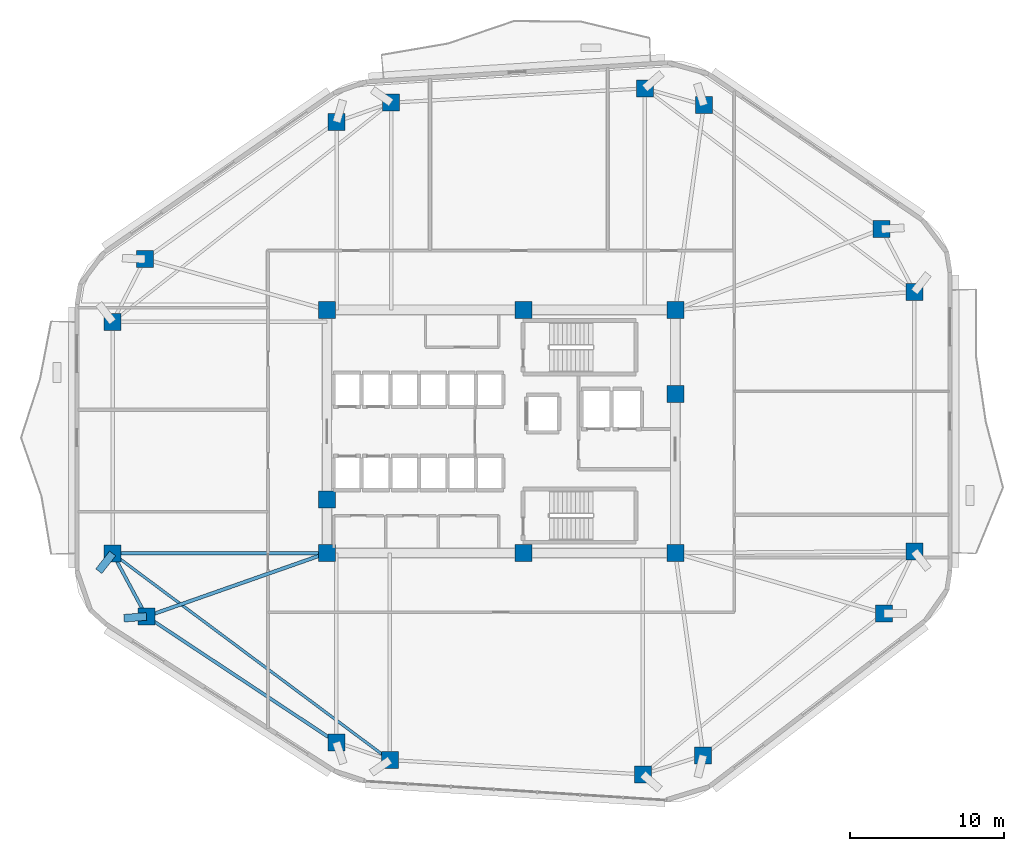
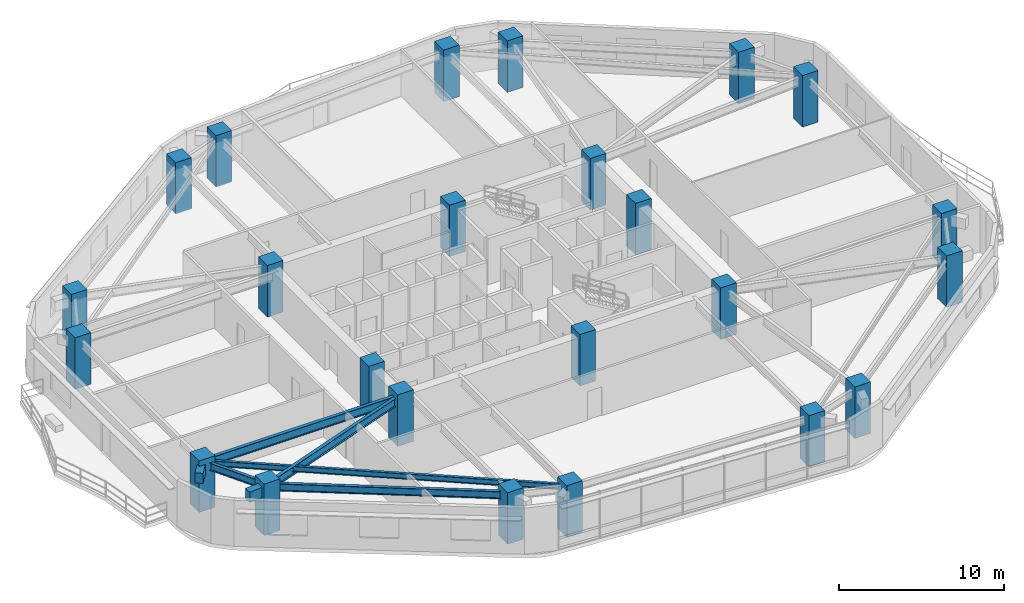
# One storey, part 1 of 12: 24 columns, 7 beams.
"""IFC4 building model written with IfcOpenShell, lengths in metres."""

from ifc_helpers import new_model, si_unit, direction, frame, origin, origin_2d, place, context, subcontext, project, spatial, rectangle, i_section, extrude, material, material_profile, profile_set, type_object, element, save


model = new_model("IFC4")

# Units and contexts
model_context = context("Model", 3, precision=1e-05, world=origin(), true_north=direction((0.0, 1.0)))
body_context = subcontext(model_context, "Body", "Model", "MODEL_VIEW")
ifc_project = project(units=[si_unit("LENGTHUNIT", "METRE"), si_unit("AREAUNIT", "SQUARE_METRE"), si_unit("VOLUMEUNIT", "CUBIC_METRE"), si_unit("PLANEANGLEUNIT", "RADIAN"), si_unit("MASSUNIT", "GRAM", prefix="KILO")], contexts=[model_context])

# Site, building, storey
site_placement = place(None, origin())
site = spatial("IfcSite", under=ifc_project, at=site_placement, CompositionType="ELEMENT")
building_placement = place(site_placement, origin())
building = spatial("IfcBuilding", under=site, at=building_placement, Name="Zulverin Broadcast Headquarters", CompositionType="ELEMENT")
storey_placement = place(building_placement, frame((0.0, 0.0, 116.199951171875)))
storey = spatial("IfcBuildingStorey", under=building, at=storey_placement, Name="L29", CompositionType="ELEMENT", Elevation=116.199951171875)

# Columns
ifc_material_1 = material(Name="Concrete C60/75", Category="concrete")
ifc_material_profile_1 = material_profile(ifc_material_1, rectangle(XDim=1.10009765625, YDim=1.10009765625, at=origin_2d()), Name="Concrete C60/75", Category="concrete")
ifc_profile_set_1 = profile_set([ifc_material_profile_1], Name="Concrete C60/75")
column_type_1 = type_object("IfcColumnType", Name="COL-RC-1100", PredefinedType="COLUMN", material=ifc_profile_set_1)
for number, where, z_axis, x_axis, name in (
    (1, (29.79638671875, 3.922119140625, 0.0), (0.0, 0.0, 1.0), (1.0, 0.0, 0.0), "L29 Perimeter Column T01"),
    (2, (46.175048828125, 2.997802734375, 0.0), (0.0, 0.0, 1.0), (1.0, 0.0, 0.0), "L29 Perimeter Column T02"),
    (3, (50.08056640625, 4.22509765625, 0.0), (0.0, 0.0, 1.0), (1.0, 0.0, 0.0), "L29 Perimeter Column T03"),
    (4, (61.79296875, 13.416259765625, 0.0), (0.0, 0.0, 1.0), (1.0, 0.0, 0.0), "L29 Perimeter Column T04"),
    (5, (63.75, 17.439697265625, 0.0), (0.0, 0.0, 1.0), (1.0, 0.0, 0.0), "L29 Perimeter Column T05"),
    (6, (63.75, 34.235107421875, 0.0), (0.0, 0.0, 1.0), (1.0, 0.0, 0.0), "L29 Perimeter Column T06"),
    (7, (61.630126953125, 38.298583984375, 0.0), (0.0, 0.0, 1.0), (1.0, 0.0, 0.0), "L29 Perimeter Column T07"),
    (8, (50.121826171875, 46.325927734375, 0.0), (0.0, 0.0, 1.0), (1.0, 0.0, 0.0), "L29 Perimeter Column T08"),
    (9, (46.30224609375, 47.4091796875, 0.0), (0.0, 0.0, 1.0), (1.0, 0.0, 0.0), "L29 Perimeter Column T09"),
    (10, (29.873779296875, 46.482177734375, 0.0), (0.0, 0.0, 1.0), (1.0, 0.0, 0.0), "L29 Perimeter Column T10"),
    (11, (26.344482421875, 45.23828125, 0.0), (0.0, 0.0, 1.0), (1.0, 0.0, 0.0), "L29 Perimeter Column T11"),
    (12, (13.934326171875, 36.353759765625, 0.0), (0.0, 0.0, 1.0), (1.0, 0.0, 0.0), "L29 Perimeter Column T12"),
    (13, (11.85009765625, 32.298095703125, 0.0), (0.0, 0.0, 1.0), (1.0, 0.0, 0.0), "L29 Perimeter Column T13"),
    (14, (11.85009765625, 17.297607421875, 0.0), (0.0, 0.0, 1.0), (1.0, 0.0, 0.0), "L29 Perimeter Column T14"),
    (15, (14.0390625, 13.219970703125, 0.0), (0.0, 0.0, 1.0), (1.0, 0.0, 0.0), "L29 Perimeter Column T15"),
    (16, (26.3251953125, 5.075927734375, 0.0), (0.0, 0.0, 1.0), (1.0, 0.0, 0.0), "L29 Perimeter Column T16"),
):
    element("IfcColumn", number, at=place(storey_placement, frame(where, z_axis=z_axis, x_axis=x_axis)), inside=storey, type_object=column_type_1, Name=name, PredefinedType="COLUMN", context=body_context, shape_type="SweptSolid", body=[
        extrude(rectangle(XDim=1.10009765625, YDim=1.10009765625, at=origin_2d()), origin(), (0.0, 0.0, 1.0), 3.800048828125),
    ])
ifc_material_profile_2 = material_profile(ifc_material_1, rectangle(XDim=1.10009765625, YDim=1.10009765625, at=origin_2d()), Name="Concrete C60/75", Category="concrete")
ifc_profile_set_2 = profile_set([ifc_material_profile_2], Name="Concrete C60/75")
column_type_2 = type_object("IfcColumnType", Name="PIL-RC-1100", PredefinedType="PILASTER", material=ifc_profile_set_2)
for number, where, z_axis, x_axis, name in (
    (17, (25.72509765625, 17.324951171875, 0.0), (0.0, 0.0, 1.0), (1.0, 0.0, 0.0), "L29 Core Pilaster K01"),
    (18, (38.449951171875, 17.324951171875, 0.0), (0.0, 0.0, 1.0), (1.0, 0.0, 0.0), "L29 Core Pilaster K02"),
    (19, (48.27490234375, 17.324951171875, 0.0), (0.0, 0.0, 1.0), (1.0, 0.0, 0.0), "L29 Core Pilaster K03"),
    (20, (48.27490234375, 27.6201171875, 0.0), (0.0, 0.0, 1.0), (1.0, 0.0, 0.0), "L29 Core Pilaster K04"),
    (21, (48.27490234375, 33.074951171875, 0.0), (0.0, 0.0, 1.0), (1.0, 0.0, 0.0), "L29 Core Pilaster K05"),
    (22, (38.449951171875, 33.074951171875, 0.0), (0.0, 0.0, 1.0), (1.0, 0.0, 0.0), "L29 Core Pilaster K06"),
    (23, (25.72509765625, 33.074951171875, 0.0), (0.0, 0.0, 1.0), (1.0, 0.0, 0.0), "L29 Core Pilaster K07"),
    (24, (25.72509765625, 20.800048828125, 0.0), (0.0, 0.0, 1.0), (1.0, 0.0, 0.0), "L29 Core Pilaster K08"),
):
    element("IfcColumn", number, at=place(storey_placement, frame(where, z_axis=z_axis, x_axis=x_axis)), inside=storey, type_object=column_type_2, Name=name, PredefinedType="PILASTER", context=body_context, shape_type="SweptSolid", body=[
        extrude(rectangle(XDim=1.10009765625, YDim=1.10009765625, at=origin_2d()), origin(), (0.0, 0.0, 1.0), 3.800048828125),
    ])

# Beams
ifc_material_2 = material(Name="Concrete C40/50", Category="concrete")
ifc_material_profile_3 = material_profile(ifc_material_2, rectangle(XDim=0.5, YDim=0.75, at=origin_2d()), Name="Concrete C40/50", Category="concrete")
ifc_profile_set_3 = profile_set([ifc_material_profile_3], Name="Concrete C40/50")
beam_type_1 = type_object("IfcBeamType", Name="BM-RC-500x750", PredefinedType="BEAM", material=ifc_profile_set_3)
beam_1_placement = place(storey_placement, frame((11.85009765625, 17.297607421875, 3.025146484375), z_axis=(-0.616321783365, -0.787494418615, 0.0), x_axis=(0.787494418615, -0.616321783365, 0.0)))
element("IfcBeam", 25, at=beam_1_placement, inside=storey, type_object=beam_type_1, Name="L30 Plate Overhang Back-Spanned Beam OVR-14", PredefinedType="BEAM", context=body_context, shape_type="SweptSolid", body=[
    extrude(rectangle(XDim=0.5, YDim=0.75, at=origin_2d()), origin(), (0.0, 0.0, 1.0), 1.46044921875),
])
beam_2_placement = place(storey_placement, frame((14.0390625, 13.219970703125, 3.025146484375), z_axis=(-0.996908150818, -0.07857568856, 0.0), x_axis=(0.07857568856, -0.996908150818, 0.0)))
element("IfcBeam", 26, at=beam_2_placement, inside=storey, type_object=beam_type_1, Name="L30 Plate Overhang Back-Spanned Beam OVR-15", PredefinedType="BEAM", context=body_context, shape_type="SweptSolid", body=[
    extrude(rectangle(XDim=0.5, YDim=0.75, at=origin_2d()), origin(), (0.0, 0.0, 1.0), 1.460205078125),
])
ifc_material_3 = material(Name="Structural steel S355JR", Category="steel")
ifc_material_profile_4 = material_profile(ifc_material_3, i_section(OverallWidth=0.179443359375, OverallDepth=0.412841796875, WebThickness=0.009521484375, FlangeThickness=0.01611328125, at=origin_2d()), Name="Structural steel S355JR", Category="steel")
ifc_profile_set_4 = profile_set([ifc_material_profile_4], Name="Structural steel S355JR")
beam_type_2 = type_object("IfcBeamType", Name="BM-UB-406", PredefinedType="JOIST", material=ifc_profile_set_4)
beam_3_placement = place(storey_placement, frame((11.85009765625, 17.297607421875, 3.193603515625), z_axis=(0.801802688634, -0.59758886243, 0.0), x_axis=(0.59758886243, 0.801802688634, 0.0)))
element("IfcBeam", 27, at=beam_3_placement, inside=storey, type_object=beam_type_2, Name="L29 Chordal Floor Joist J-04", PredefinedType="JOIST", context=body_context, shape_type="SweptSolid", body=[
    extrude(i_section(OverallWidth=0.179443359375, OverallDepth=0.412841796875, WebThickness=0.009521484375, FlangeThickness=0.01611328125, at=origin_2d()), origin(), (0.0, 0.0, 1.0), 22.38232421875),
])
ifc_material_profile_5 = material_profile(ifc_material_3, i_section(OverallWidth=0.2119140625, OverallDepth=0.54443359375, WebThickness=0.0126953125, FlangeThickness=0.021240234375, at=origin_2d()), Name="Structural steel S355JR", Category="steel")
ifc_profile_set_5 = profile_set([ifc_material_profile_5], Name="Structural steel S355JR")
beam_type_3 = type_object("IfcBeamType", Name="BM-UB-533", PredefinedType="SPANDREL", material=ifc_profile_set_5)
beam_4_placement = place(storey_placement, frame((11.85009765625, 17.297607421875, 3.127685546875), z_axis=(0.472979536362, -0.881073412482, 0.0), x_axis=(0.881073412482, 0.472979536362, 0.0)))
element("IfcBeam", 28, at=beam_4_placement, inside=storey, type_object=beam_type_3, Name="L29 Perimeter Spandrel Beam SP-14", PredefinedType="SPANDREL", context=body_context, shape_type="SweptSolid", body=[
    extrude(i_section(OverallWidth=0.2119140625, OverallDepth=0.54443359375, WebThickness=0.0126953125, FlangeThickness=0.021240234375, at=origin_2d()), origin(), (0.0, 0.0, 1.0), 4.6279296875),
])
beam_5_placement = place(storey_placement, frame((14.0390625, 13.219970703125, 3.127685546875), z_axis=(0.833510030956, -0.552504324232, 0.0), x_axis=(0.552504324232, 0.833510030956, 0.0)))
element("IfcBeam", 29, at=beam_5_placement, inside=storey, type_object=beam_type_3, Name="L29 Perimeter Spandrel Beam SP-15", PredefinedType="SPANDREL", context=body_context, shape_type="SweptSolid", body=[
    extrude(i_section(OverallWidth=0.2119140625, OverallDepth=0.54443359375, WebThickness=0.0126953125, FlangeThickness=0.021240234375, at=origin_2d()), origin(), (0.0, 0.0, 1.0), 14.740234375),
])
ifc_material_profile_6 = material_profile(ifc_material_3, i_section(OverallWidth=0.230224609375, OverallDepth=0.6171875, WebThickness=0.01318359375, FlangeThickness=0.022216796875, at=origin_2d()), Name="Structural steel S355JR", Category="steel")
ifc_profile_set_6 = profile_set([ifc_material_profile_6], Name="Structural steel S355JR")
beam_type_4 = type_object("IfcBeamType", Name="BM-UB-610", PredefinedType="BEAM", material=ifc_profile_set_6)
beam_6_placement = place(storey_placement, frame((25.72509765625, 17.324951171875, 3.091552734375), z_axis=(-0.999998058136, -0.001970716894, 0.0), x_axis=(0.001970716894, -0.999998058136, 0.0)))
element("IfcBeam", 30, at=beam_6_placement, inside=storey, type_object=beam_type_4, Name="L29 Radial Primary Floor Beam RB-14", PredefinedType="BEAM", context=body_context, shape_type="SweptSolid", body=[
    extrude(i_section(OverallWidth=0.230224609375, OverallDepth=0.6171875, WebThickness=0.01318359375, FlangeThickness=0.022216796875, at=origin_2d()), origin(), (0.0, 0.0, 1.0), 13.875),
])
beam_7_placement = place(storey_placement, frame((25.72509765625, 17.324951171875, 3.091552734375), z_axis=(-0.943483462345, -0.331419607569, 0.0), x_axis=(0.331419607569, -0.943483462345, 0.0)))
element("IfcBeam", 31, at=beam_7_placement, inside=storey, type_object=beam_type_4, Name="L29 Radial Primary Floor Beam RB-15", PredefinedType="BEAM", context=body_context, shape_type="SweptSolid", body=[
    extrude(i_section(OverallWidth=0.230224609375, OverallDepth=0.6171875, WebThickness=0.01318359375, FlangeThickness=0.022216796875, at=origin_2d()), origin(), (0.0, 0.0, 1.0), 12.385986328125),
])

save(model, "model.ifc")
